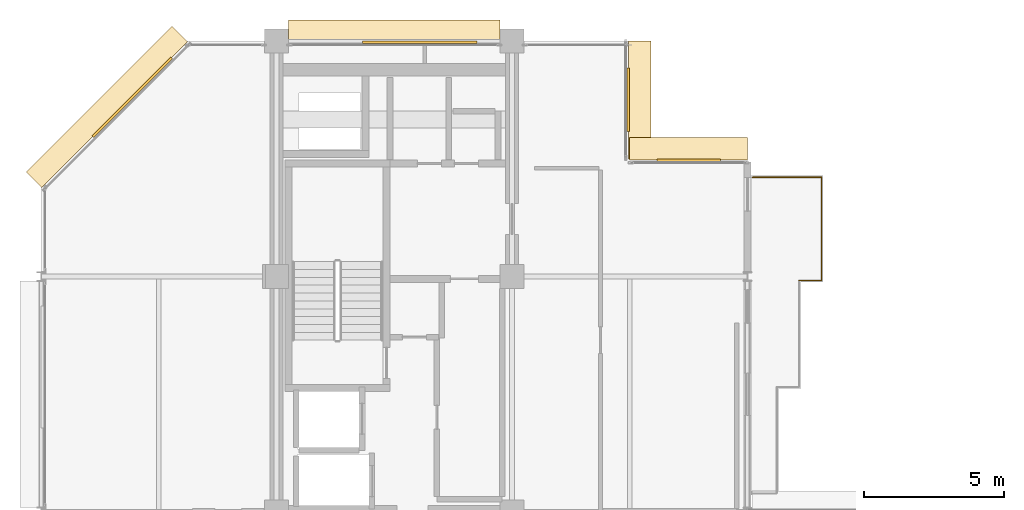
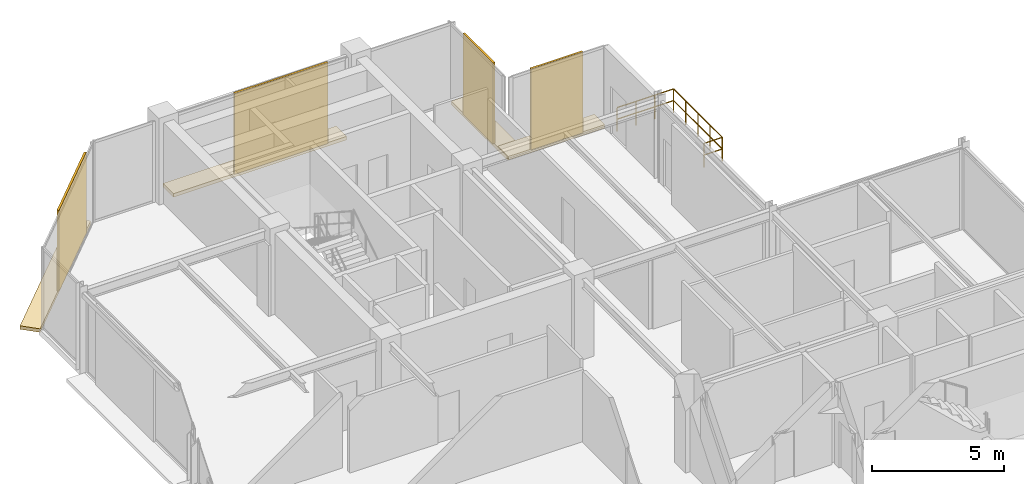
# One storey, part 25 of 25: 8 coverings, 3 railings.
"""IFC4 building model written with IfcOpenShell, lengths in metres."""

from ifc_helpers import new_model, si_unit, direction, frame, origin, origin_2d, place, context, subcontext, project, spatial, polyline, rectangle, circle, outline, extrude, material, layer, layer_set, type_object, element, save


model = new_model("IFC4")

# Units and contexts
model_context = context("Model", 3, precision=1e-05, world=origin(), true_north=direction((0.0, 1.0)))
body_context = subcontext(model_context, "Body", "Model", "MODEL_VIEW")
ifc_project = project(units=[si_unit("LENGTHUNIT", "METRE"), si_unit("AREAUNIT", "SQUARE_METRE"), si_unit("VOLUMEUNIT", "CUBIC_METRE"), si_unit("PLANEANGLEUNIT", "RADIAN"), si_unit("MASSUNIT", "GRAM", prefix="KILO")], contexts=[model_context])

# Site, building, storey
site_placement = place(None, origin())
site = spatial("IfcSite", under=ifc_project, at=site_placement, CompositionType="ELEMENT")
building_placement = place(site_placement, origin())
building = spatial("IfcBuilding", under=site, at=building_placement, Name="Nerrivon Quay Data Exchange", CompositionType="ELEMENT")
storey_placement = place(building_placement, frame((0.0, 0.0, 314.199951171875)))
storey = spatial("IfcBuildingStorey", under=building, at=storey_placement, Name="L75", CompositionType="ELEMENT", Elevation=314.199951171875)

# Coverings
ifc_material_1 = material(Name="Architectural terracotta ceramic", Category="masonry")
ifc_layer_1 = layer(ifc_material_1, 0.159912109375)
ifc_layer_set_1 = layer_set([ifc_layer_1], Name="Architectural terracotta ceramic")
covering_type_1 = type_object("IfcCoveringType", Name="COV-BLD-TERR", PredefinedType="CLADDING", material=ifc_layer_set_1)
covering_1_placement = place(storey_placement, frame((0.0, 0.0, -0.159912109375)))
element("IfcCovering", 1, at=covering_1_placement, inside=storey, type_object=covering_type_1, Name="L75 Horizontal Terracotta SOLAR SCREEN Blade", PredefinedType="CLADDING", context=body_context, shape_type="SweptSolid", body=[
    extrude(outline(polyline([(0.0283203125, 36.771728515625), (5.228271484375, 41.9716796875), (4.669677734375, 42.5302734375), (-0.5302734375, 37.330322265625), (0.0283203125, 36.771728515625)])), origin(), (0.0, 0.0, 1.0), 0.159912109375),
])
covering_2_placement = place(storey_placement, frame((0.0, 0.0, -0.159912109375)))
element("IfcCovering", 2, at=covering_2_placement, inside=storey, type_object=covering_type_1, Name="L75 Horizontal Terracotta SOLAR SCREEN Blade", PredefinedType="CLADDING", context=body_context, shape_type="SweptSolid", body=[
    extrude(outline(polyline([(8.824951171875, 41.9599609375), (16.375, 41.9599609375), (16.375, 42.75), (8.824951171875, 42.75), (8.824951171875, 41.9599609375)])), origin(), (0.0, 0.0, 1.0), 0.159912109375),
])
covering_3_placement = place(storey_placement, frame((0.0, 0.0, -0.159912109375)))
element("IfcCovering", 3, at=covering_3_placement, inside=storey, type_object=covering_type_1, Name="L75 Horizontal Terracotta SOLAR SCREEN Blade", PredefinedType="CLADDING", context=body_context, shape_type="SweptSolid", body=[
    extrude(outline(polyline([(20.9599609375, 42.0), (20.9599609375, 37.800048828125), (21.75, 37.800048828125), (21.75, 42.0), (20.9599609375, 42.0)])), origin(), (0.0, 0.0, 1.0), 0.159912109375),
])
covering_4_placement = place(storey_placement, frame((0.0, 0.0, -0.159912109375)))
element("IfcCovering", 4, at=covering_4_placement, inside=storey, type_object=covering_type_1, Name="L75 Horizontal Terracotta SOLAR SCREEN Blade", PredefinedType="CLADDING", context=body_context, shape_type="SweptSolid", body=[
    extrude(outline(polyline([(21.0, 37.760009765625), (25.199951171875, 37.760009765625), (25.199951171875, 38.550048828125), (21.0, 38.550048828125), (21.0, 37.760009765625)])), origin(), (0.0, 0.0, 1.0), 0.159912109375),
])
ifc_layer_2 = layer(ifc_material_1, 0.090087890625)
ifc_layer_set_2 = layer_set([ifc_layer_2], Name="Architectural terracotta ceramic")
covering_type_2 = type_object("IfcCoveringType", Name="COV-SCR-TERR", PredefinedType="CLADDING", material=ifc_layer_set_2)
covering_5_placement = place(storey_placement, frame((3.255859375, 39.9921875, 0.0), z_axis=(0.0, 0.0, 1.0), x_axis=(0.707106781187, 0.707106781187, 0.0)))
element("IfcCovering", 5, at=covering_5_placement, inside=storey, type_object=covering_type_2, Name="L75 Perforated Terracotta SOLAR SCREEN Cassette", PredefinedType="CLADDING", context=body_context, shape_type="SweptSolid", body=[
    extrude(rectangle(XDim=3.970947265625, YDim=0.090087890625, at=origin_2d()), origin(), (0.0, 0.0, 1.0), 3.72509765625),
])
covering_6_placement = place(storey_placement, frame((13.506103515625, 41.955078125, 0.0), z_axis=(0.0, 0.0, 1.0), x_axis=(1.0, 0.0, 0.0)))
element("IfcCovering", 6, at=covering_6_placement, inside=storey, type_object=covering_type_2, Name="L75 Perforated Terracotta SOLAR SCREEN Cassette", PredefinedType="CLADDING", context=body_context, shape_type="SweptSolid", body=[
    extrude(rectangle(XDim=4.076904296875, YDim=0.090087890625, at=origin_2d()), origin(), (0.0, 0.0, 1.0), 3.72509765625),
])
for number, where, z_axis, x_axis, name in (
    (7, (20.955078125, 39.89990234375, 0.0), (0.0, 0.0, 1.0), (0.0, -1.0, 0.0), "L75 Perforated Terracotta SOLAR SCREEN Cassette"),
    (8, (23.10009765625, 37.7548828125, 0.0), (0.0, 0.0, 1.0), (1.0, 0.0, 0.0), "L75 Perforated Terracotta SOLAR SCREEN Cassette"),
):
    element("IfcCovering", number, at=place(storey_placement, frame(where, z_axis=z_axis, x_axis=x_axis)), inside=storey, type_object=covering_type_2, Name=name, PredefinedType="CLADDING", context=body_context, shape_type="SweptSolid", body=[
        extrude(rectangle(XDim=2.26806640625, YDim=0.090087890625, at=origin_2d()), origin(), (0.0, 0.0, 1.0), 3.72509765625),
    ])

# Railings
ifc_material_2 = material(Name="Steel Grade C350L0 (350 MPa)", Category="steel")
railing_type = type_object("IfcRailingType", Name="RAIL-GUARD-GR2", PredefinedType="BALUSTRADE", material=ifc_material_2)
railing_1_placement = place(storey_placement, frame((25.3798828125, 37.139892578125, 0.0)))
element("IfcRailing", 9, at=railing_1_placement, inside=storey, type_object=railing_type, Name="L75 Verandah Balcony Guard 1.3 1", PredefinedType="BALUSTRADE", context=body_context, shape_type="SweptSolid", body=[
    extrude(circle(Radius=0.02392578125, at=origin_2d()), frame((0.0, 0.0, 1.09619140625), z_axis=(1.0, 0.0, 0.0), x_axis=(0.0, 1.0, 0.0)), (0.0, 0.0, 1.0), 2.460205078125),
    extrude(circle(Radius=0.02392578125, at=origin_2d()), frame((0.0, 0.0, 0.56005859375), z_axis=(1.0, 0.0, 0.0), x_axis=(0.0, 1.0, 0.0)), (0.0, 0.0, 1.0), 2.460205078125),
    extrude(circle(Radius=0.02099609375, at=origin_2d()), origin(), (0.0, 0.0, 1.0), 1.072021484375),
    extrude(circle(Radius=0.02099609375, at=origin_2d()), frame((0.820068359375, 0.0, 0.0)), (0.0, 0.0, 1.0), 1.072021484375),
    extrude(circle(Radius=0.02099609375, at=origin_2d()), frame((1.64013671875, 0.0, 0.0)), (0.0, 0.0, 1.0), 1.072021484375),
    extrude(circle(Radius=0.02099609375, at=origin_2d()), frame((2.460205078125, 0.0, 0.0)), (0.0, 0.0, 1.0), 1.072021484375),
])
railing_2_placement = place(storey_placement, frame((27.840087890625, 37.139892578125, 0.0)))
element("IfcRailing", 10, at=railing_2_placement, inside=storey, type_object=railing_type, Name="L75 Verandah Balcony Guard 1.4 1", PredefinedType="BALUSTRADE", context=body_context, shape_type="SweptSolid", body=[
    extrude(circle(Radius=0.02392578125, at=origin_2d()), frame((0.0, 0.0, 1.09619140625), z_axis=(0.0, -1.0, 0.0), x_axis=(1.0, 0.0, 0.0)), (0.0, 0.0, 1.0), 3.679931640625),
    extrude(circle(Radius=0.02392578125, at=origin_2d()), frame((0.0, 0.0, 0.56005859375), z_axis=(0.0, -1.0, 0.0), x_axis=(1.0, 0.0, 0.0)), (0.0, 0.0, 1.0), 3.679931640625),
    extrude(circle(Radius=0.02099609375, at=origin_2d()), origin(), (0.0, 0.0, 1.0), 1.072021484375),
    extrude(circle(Radius=0.02099609375, at=origin_2d()), frame((0.0, -0.919921875, 0.0)), (0.0, 0.0, 1.0), 1.072021484375),
    extrude(circle(Radius=0.02099609375, at=origin_2d()), frame((0.0, -1.83984375, 0.0)), (0.0, 0.0, 1.0), 1.072021484375),
    extrude(circle(Radius=0.02099609375, at=origin_2d()), frame((0.0, -2.760009765625, 0.0)), (0.0, 0.0, 1.0), 1.072021484375),
    extrude(circle(Radius=0.02099609375, at=origin_2d()), frame((0.0, -3.679931640625, 0.0)), (0.0, 0.0, 1.0), 1.072021484375),
])
railing_3_placement = place(storey_placement, frame((27.840087890625, 33.4599609375, 0.0)))
element("IfcRailing", 11, at=railing_3_placement, inside=storey, type_object=railing_type, Name="L75 Verandah Balcony Guard 1.5 1", PredefinedType="BALUSTRADE", context=body_context, shape_type="SweptSolid", body=[
    extrude(circle(Radius=0.02392578125, at=origin_2d()), frame((0.0, 0.0, 1.09619140625), z_axis=(-1.0, 0.0, 0.0), x_axis=(0.0, -1.0, 0.0)), (0.0, 0.0, 1.0), 0.800048828125),
    extrude(circle(Radius=0.02392578125, at=origin_2d()), frame((0.0, 0.0, 0.56005859375), z_axis=(-1.0, 0.0, 0.0), x_axis=(0.0, -1.0, 0.0)), (0.0, 0.0, 1.0), 0.800048828125),
    extrude(circle(Radius=0.02099609375, at=origin_2d()), origin(), (0.0, 0.0, 1.0), 1.072021484375),
    extrude(circle(Radius=0.02099609375, at=origin_2d()), frame((-0.800048828125, 0.0, 0.0)), (0.0, 0.0, 1.0), 1.072021484375),
])

save(model, "model.ifc")
